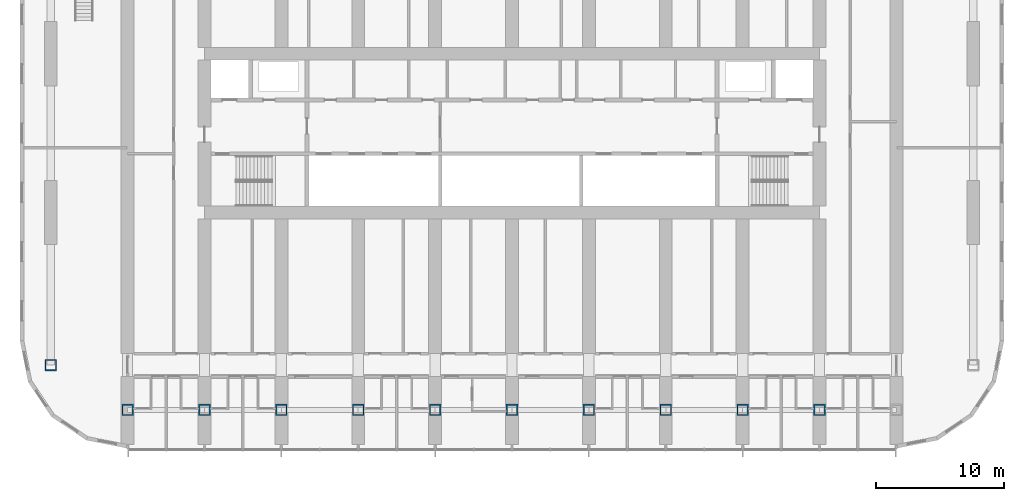
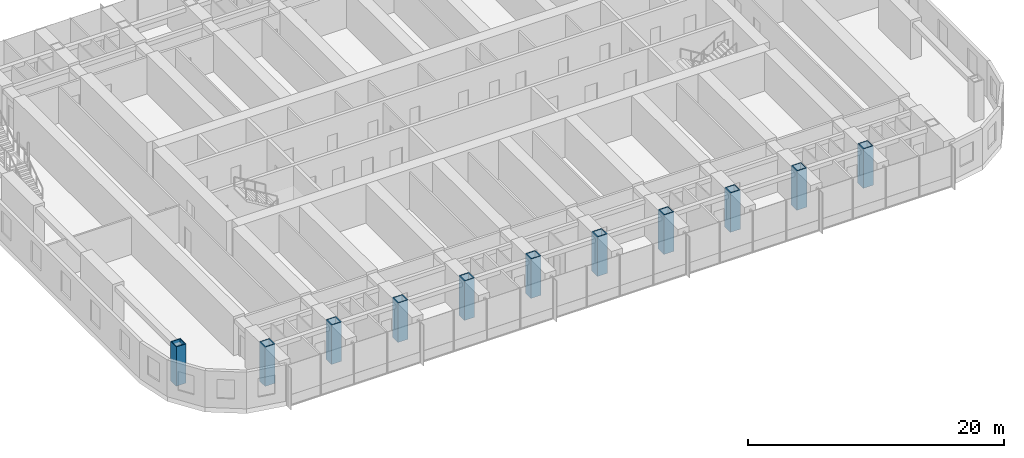
# One storey, part 1 of 28: 11 columns.
"""IFC4 building model written with IfcOpenShell, lengths in metres."""

from ifc_helpers import new_model, si_unit, direction, frame, origin, origin_2d, place, context, subcontext, project, spatial, hollow_rectangle, extrude, material, material_profile, profile_set, type_object, element, save


model = new_model("IFC4")

# Units and contexts
model_context = context("Model", 3, precision=1e-05, world=origin(), true_north=direction((0.0, 1.0)))
body_context = subcontext(model_context, "Body", "Model", "MODEL_VIEW")
ifc_project = project(units=[si_unit("LENGTHUNIT", "METRE"), si_unit("AREAUNIT", "SQUARE_METRE"), si_unit("VOLUMEUNIT", "CUBIC_METRE"), si_unit("PLANEANGLEUNIT", "RADIAN"), si_unit("MASSUNIT", "GRAM", prefix="KILO")], contexts=[model_context])

# Site, building, storey
site_placement = place(None, origin())
site = spatial("IfcSite", under=ifc_project, at=site_placement, CompositionType="ELEMENT")
building_placement = place(site_placement, origin())
building = spatial("IfcBuilding", under=site, at=building_placement, Name="Orbita Commons", CompositionType="ELEMENT")
storey_placement = place(building_placement, frame((0.0, 0.0, 23.949951171875)))
storey = spatial("IfcBuildingStorey", under=building, at=storey_placement, Name="L05", CompositionType="ELEMENT", Elevation=23.949951171875)

# Columns
ifc_material = material(Name="Steel ASTM A572 Gr 50 welded plate", Category="steel")
ifc_material_profile = material_profile(ifc_material, hollow_rectangle(XDim=0.89990234375, YDim=0.89990234375, WallThickness=0.090087890625, at=origin_2d()), Name="BOX 900x900x90")
ifc_profile_set = profile_set([ifc_material_profile], Name="Steel ASTM A572 Gr 50 welded plate")
column_type = type_object("IfcColumnType", Name="Steel column BOX 900x900x90", PredefinedType="COLUMN", material=ifc_profile_set)
for number, where, z_axis, x_axis, name in (
    (1, (12.0, 10.39990234375, 0.0), (0.0, 0.0, 1.0), (1.0, 0.0, 0.0), "Column 3/B L05"),
    (2, (18.0, 10.39990234375, 0.0), (0.0, 0.0, 1.0), (1.0, 0.0, 0.0), "Column 4/B L05"),
    (3, (24.0, 10.39990234375, 0.0), (0.0, 0.0, 1.0), (1.0, 0.0, 0.0), "Column 5/B L05"),
    (4, (30.0, 10.39990234375, 0.0), (0.0, 0.0, 1.0), (1.0, 0.0, 0.0), "Column 6/B L05"),
    (5, (36.0, 10.39990234375, 0.0), (0.0, 0.0, 1.0), (1.0, 0.0, 0.0), "Column 7/B L05"),
    (6, (42.0, 10.39990234375, 0.0), (0.0, 0.0, 1.0), (1.0, 0.0, 0.0), "Column 8/B L05"),
    (7, (48.0, 10.39990234375, 0.0), (0.0, 0.0, 1.0), (1.0, 0.0, 0.0), "Column 9/B L05"),
    (8, (54.0, 10.39990234375, 0.0), (0.0, 0.0, 1.0), (1.0, 0.0, 0.0), "Column 10/B L05"),
    (9, (60.0, 10.39990234375, 0.0), (0.0, 0.0, 1.0), (1.0, 0.0, 0.0), "Column 11/B L05"),
    (10, (66.0, 10.39990234375, 0.0), (0.0, 0.0, 1.0), (1.0, 0.0, 0.0), "Column 12/B L05"),
    (11, (6.0, 13.89990234375, 0.0), (0.0, 0.0, 1.0), (1.0, 0.0, 0.0), "Column 2/13.9 L05"),
):
    element("IfcColumn", number, at=place(storey_placement, frame(where, z_axis=z_axis, x_axis=x_axis)), inside=storey, type_object=column_type, Name=name, PredefinedType="COLUMN", context=body_context, shape_type="SweptSolid", body=[
        extrude(hollow_rectangle(XDim=0.89990234375, YDim=0.89990234375, WallThickness=0.090087890625, at=origin_2d()), origin(), (0.0, 0.0, 1.0), 3.75),
    ])

save(model, "model.ifc")
